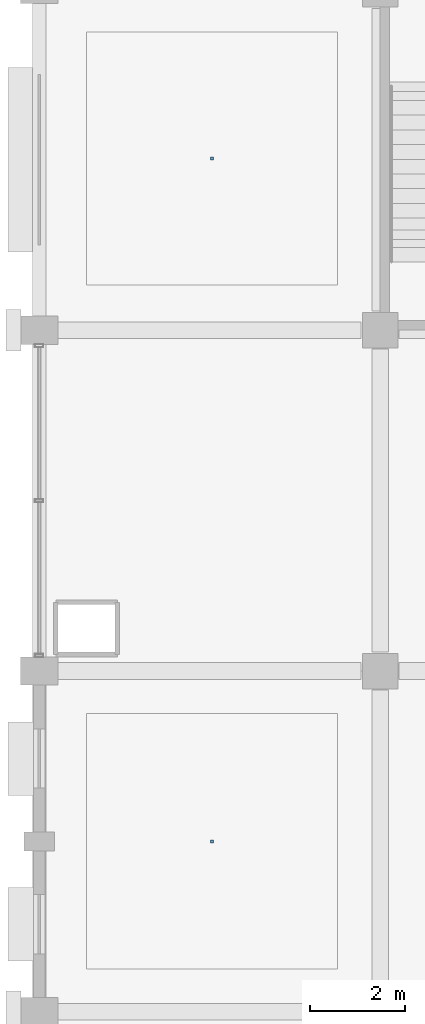
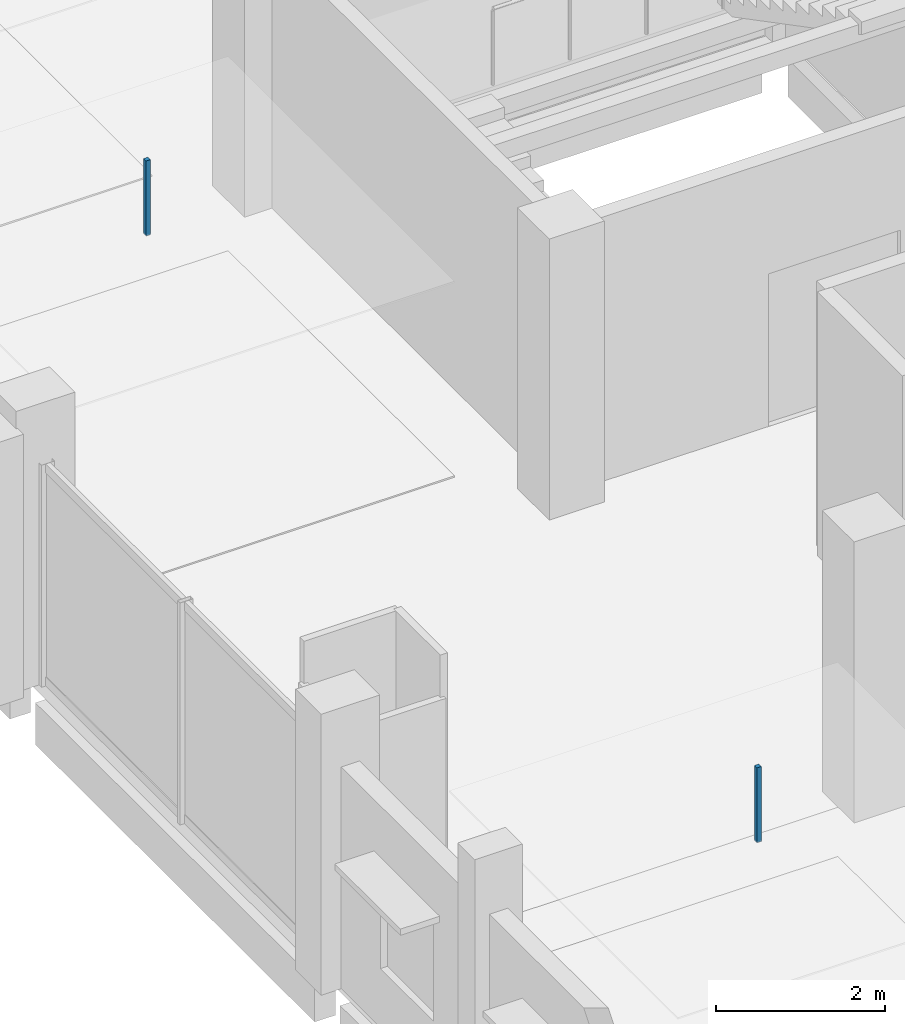
# One storey, part 76 of 91: 2 discrete accessories.
"""IFC4 building model written with IfcOpenShell, lengths in metres."""

import ifcopenshell
import ifcopenshell.guid

model = None  # the IFC model being written
_history = None  # IfcOwnerHistory: only IFC2X3 demands one
_inside = {}  # id of a spatial element -> (the spatial element, [elements in it])
_under = {}  # id of a project, library or spatial element -> (it, [spatial elements below it])
_declared = {}  # id of a project -> (the project, [libraries it declares])
_typed = {}  # id of a type object -> (the type object, [elements of that type])
_made_of = {}  # id of a material, layer set ... -> (it, [elements and type objects made of it])


def new_model(schema):
    """Start an empty IFC model of exactly this schema.

    Asked for "IFC4X3", IfcOpenShell would pick the latest addendum, in which some entities
    have other attributes; the version numbers below select the first issue.
    IFC2X3 requires an IfcOwnerHistory on every rooted entity: one is made here for all.
    """
    global model, _history
    if schema == "IFC4X3":
        model = ifcopenshell.file(schema_version=(4, 3, 0, 0))
    else:
        model = ifcopenshell.file(schema=schema)
    _inside.clear()
    _under.clear()
    _declared.clear()
    _typed.clear()
    _made_of.clear()
    _history = None
    if model.schema == "IFC2X3":
        org = make("IfcOrganization", Name="unknown")
        user = make(
            "IfcPersonAndOrganization",
            ThePerson=make("IfcPerson", FamilyName="unknown"),
            TheOrganization=org,
        )
        app = make(
            "IfcApplication",
            ApplicationDeveloper=org,
            Version="unknown",
            ApplicationFullName="unknown",
            ApplicationIdentifier="unknown",
        )
        _history = make(
            "IfcOwnerHistory",
            OwningUser=user,
            OwningApplication=app,
            ChangeAction="ADDED",
            CreationDate=0,
        )
    return model


def make(cls, **values):
    """One entity of the class cls with the attributes given. An attribute that is None is left unset."""
    return model.create_entity(
        cls, **{name: value for name, value in values.items() if value is not None}
    )


def rooted(cls, **values):
    """An entity with a GlobalId (a new one), such as an element, a storey or a relation."""
    return make(cls, GlobalId=ifcopenshell.guid.new(), OwnerHistory=_history, **values)


def si_unit(unit_type, name, prefix=None):
    """IfcSIUnit, for example si_unit("LENGTHUNIT", "METRE", prefix="MILLI")."""
    return make("IfcSIUnit", UnitType=unit_type, Prefix=prefix, Name=name)


def assignment(units):
    """IfcUnitAssignment: the units of a project."""
    return None if units is None else make("IfcUnitAssignment", Units=units)


def point(xyz):
    """IfcCartesianPoint."""
    return None if xyz is None else make("IfcCartesianPoint", Coordinates=xyz)


def direction(xyz):
    """IfcDirection."""
    return None if xyz is None else make("IfcDirection", DirectionRatios=xyz)


def frame(location, z_axis=None, x_axis=None):
    """IfcAxis2Placement3D, a coordinate frame: its origin and axes. An axis left out is left unset."""
    return make(
        "IfcAxis2Placement3D",
        Location=point(location),
        Axis=direction(z_axis),
        RefDirection=direction(x_axis),
    )


def frame_2d(location, x_axis=None):
    """IfcAxis2Placement2D, a coordinate frame in the plane: its origin and x axis."""
    return make(
        "IfcAxis2Placement2D", Location=point(location), RefDirection=direction(x_axis)
    )


def origin():
    """The frame at (0, 0, 0) with its axes left unset."""
    return frame((0.0, 0.0, 0.0))


def origin_2d():
    """The frame at (0, 0) in the plane with its x axis left unset."""
    return frame_2d((0.0, 0.0))


def place(relative_to, where):
    """IfcLocalPlacement: puts the frame where relative to a parent placement (None: the world)."""
    return make(
        "IfcLocalPlacement", PlacementRelTo=relative_to, RelativePlacement=where
    )


def context(
    kind, dimensions, precision=None, world=None, true_north=None, identifier=None
):
    """IfcGeometricRepresentationContext, for example the 3D "Model" context."""
    return make(
        "IfcGeometricRepresentationContext",
        ContextIdentifier=identifier,
        ContextType=kind,
        CoordinateSpaceDimension=dimensions,
        Precision=precision,
        WorldCoordinateSystem=world,
        TrueNorth=true_north,
    )


def subcontext(parent, identifier, kind, view, scale=None):
    """IfcGeometricRepresentationSubContext, for example "Body" below "Model"."""
    return make(
        "IfcGeometricRepresentationSubContext",
        ContextIdentifier=identifier,
        ContextType=kind,
        ParentContext=parent,
        TargetScale=scale,
        TargetView=view,
    )


def project(units=None, contexts=None):
    """IfcProject with its units and contexts."""
    return rooted(
        "IfcProject",
        Name="project",
        RepresentationContexts=contexts,
        UnitsInContext=assignment(units),
    )


def spatial(cls, under=None, at=None, **own):
    """A site, building, storey or space (cls), placed at a placement, below another one or the project."""
    s = rooted(cls, ObjectPlacement=at, **own)
    if under is not None:
        _under.setdefault(under.id(), (under, []))[1].append(s)
    return s


def profile(cls, at=None, kind="AREA", **sizes):
    """A parametric profile (cls). Its sizes go by their IFC names, for example OverallWidth=200.0."""
    return make(cls, ProfileType=kind, Position=at, **sizes)


def rectangle(**sizes):
    """IfcRectangleProfileDef."""
    return profile("IfcRectangleProfileDef", **sizes)


def extrude(swept, where, along, depth):
    """IfcExtrudedAreaSolid: the profile swept, set in the frame where, extruded along a direction by depth."""
    return make(
        "IfcExtrudedAreaSolid",
        SweptArea=swept,
        Position=where,
        ExtrudedDirection=direction(along),
        Depth=depth,
    )


def shape(context_of_items, identifier, shape_type, items):
    """IfcShapeRepresentation: the items that make up one representation, for example the "Body"."""
    return make(
        "IfcShapeRepresentation",
        ContextOfItems=context_of_items,
        RepresentationIdentifier=identifier,
        RepresentationType=shape_type,
        Items=items,
    )


def material(Name=None, Category=None):
    """IfcMaterial."""
    return make("IfcMaterial", Name=Name, Category=Category)


def made_of(thing, what):
    """Note that an element or type object is made of a material, layer set ...; save() writes the relation."""
    if what is not None:
        _made_of.setdefault(what.id(), (what, []))[1].append(thing)
    return thing


def type_object(cls, material=None, **own):
    """A type object (cls), such as IfcWallType, which elements share."""
    return made_of(rooted(cls, **own), material)


def element(
    cls,
    number,
    at=None,
    inside=None,
    cuts=None,
    type_object=None,
    material=None,
    context=None,
    identifier="Body",
    shape_type=None,
    held_by="IfcProductDefinitionShape",
    body=None,
    shapes=None,
    **own,
):
    """One element of the class cls, such as IfcWall. Its Tag is "e" and its number.

    at: its placement. inside: the storey or other place that contains it. cuts: it is an
    opening in that element (IfcRelVoidsElement). A single representation is given by context,
    identifier, shape_type and body (its items); several are given by shapes. held_by: the class
    of the entity that holds the representations. save() writes the other relations.
    """
    e = rooted(cls, Tag="e%d" % number, ObjectPlacement=at, **own)
    if body is not None:
        shapes = [shape(context, identifier, shape_type, body)]
    if shapes is not None:
        e.Representation = make(held_by, Representations=shapes)
    if inside is not None:
        _inside.setdefault(inside.id(), (inside, []))[1].append(e)
    if cuts is not None:
        rooted(
            "IfcRelVoidsElement", RelatingBuildingElement=cuts, RelatedOpeningElement=e
        )
    if type_object is not None:
        _typed.setdefault(type_object.id(), (type_object, []))[1].append(e)
    return made_of(e, material)


def aggregate(whole, parts):
    """IfcRelAggregates: a whole, such as a stair, and the parts it consists of."""
    return rooted("IfcRelAggregates", RelatingObject=whole, RelatedObjects=parts)


def save(model, path):
    """Write the relations noted so far, then the file.

    IfcRelAggregates (storeys below a building ...), IfcRelContainedInSpatialStructure (elements
    in a storey), IfcRelDefinesByType, IfcRelAssociatesMaterial and IfcRelDeclares: one each for
    every whole, place, type object, material and project.
    """
    for whole, parts in _under.values():
        aggregate(whole, parts)
    for where, things in _inside.values():
        rooted(
            "IfcRelContainedInSpatialStructure",
            RelatedElements=things,
            RelatingStructure=where,
        )
    for kind, things in _typed.values():
        rooted("IfcRelDefinesByType", RelatedObjects=things, RelatingType=kind)
    for what, things in _made_of.values():
        rooted("IfcRelAssociatesMaterial", RelatedObjects=things, RelatingMaterial=what)
    for by, libraries in _declared.values():
        rooted("IfcRelDeclares", RelatingContext=by, RelatedDefinitions=libraries)
    model.write(path)


model = new_model("IFC4")

# Units and contexts
model_context = context("Model", 3, precision=1e-05, world=origin(), true_north=direction((0.0, 1.0)))
body_context = subcontext(model_context, "Body", "Model", "MODEL_VIEW")
ifc_project = project(units=[si_unit("LENGTHUNIT", "METRE"), si_unit("AREAUNIT", "SQUARE_METRE"), si_unit("VOLUMEUNIT", "CUBIC_METRE"), si_unit("PLANEANGLEUNIT", "RADIAN"), si_unit("MASSUNIT", "GRAM", prefix="KILO")], contexts=[model_context])

# Site, building, storey
site_placement = place(None, origin())
site = spatial("IfcSite", under=ifc_project, at=site_placement, CompositionType="ELEMENT")
building_placement = place(site_placement, origin())
building = spatial("IfcBuilding", under=site, at=building_placement, Name="Kangsadwip Square Police Headquarters", CompositionType="ELEMENT")
storey_placement = place(building_placement, frame((0.0, 0.0, 13.5)))
storey = spatial("IfcBuildingStorey", under=building, at=storey_placement, Name="L03", CompositionType="ELEMENT", Elevation=13.5)

# Discrete accessories
ifc_material = material(Name="Structural steel IS 2062 E350 (Grade 350, 350 MPa)", Category="steel")
discrete_accessory_type = type_object("IfcDiscreteAccessoryType", Name="VeilOutriggerBracket", PredefinedType="BRACKET", material=ifc_material)
for number, where, z_axis, x_axis, name in (
    (1, (3.64990234375, 61.199951171875, 2.81005859375), (0.0, 0.0, 1.0), (1.0, 0.0, 0.0), "Ceiling Suspension Hanger L03-099"),
    (2, (3.64990234375, 75.625, 2.81005859375), (0.0, 0.0, 1.0), (1.0, 0.0, 0.0), "Ceiling Suspension Hanger L03-100"),
):
    element("IfcDiscreteAccessory", number, at=place(storey_placement, frame(where, z_axis=z_axis, x_axis=x_axis)), inside=storey, type_object=discrete_accessory_type, Name=name, PredefinedType="BRACKET", context=body_context, shape_type="SweptSolid", body=[
        extrude(rectangle(XDim=0.06005859375, YDim=0.06005859375, at=origin_2d()), origin(), (0.0, 0.0, 1.0), 1.080078125),
    ])

save(model, "model.ifc")
